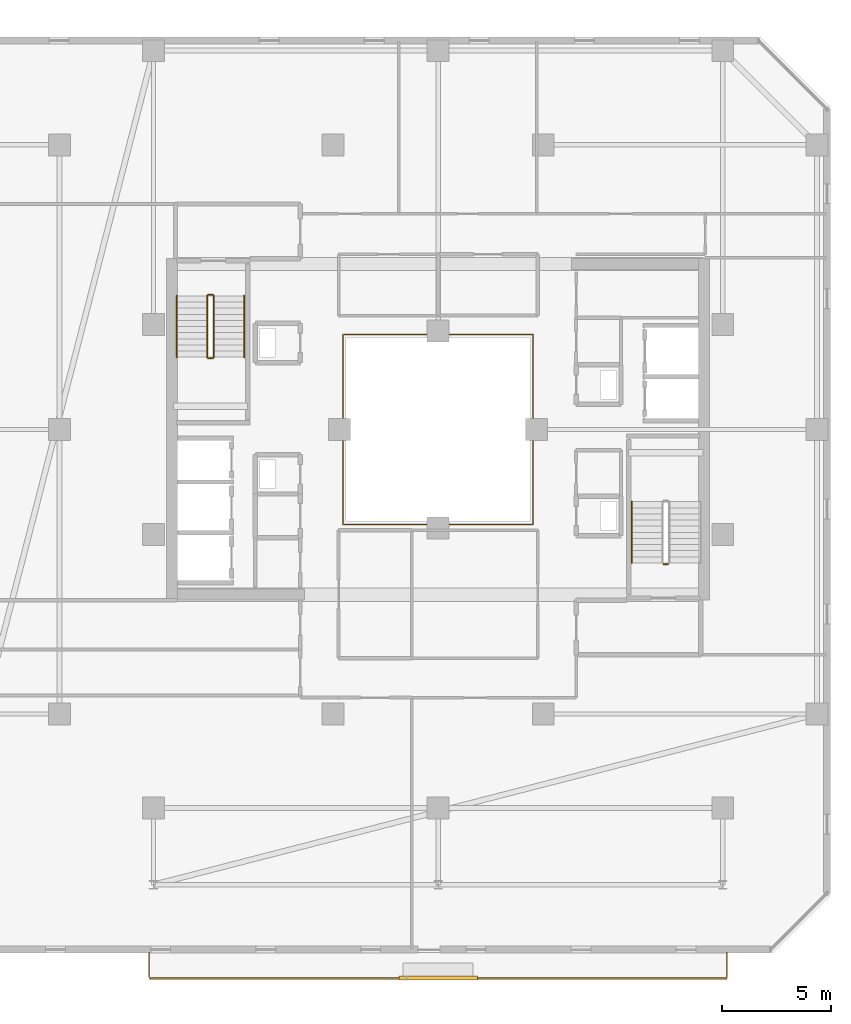
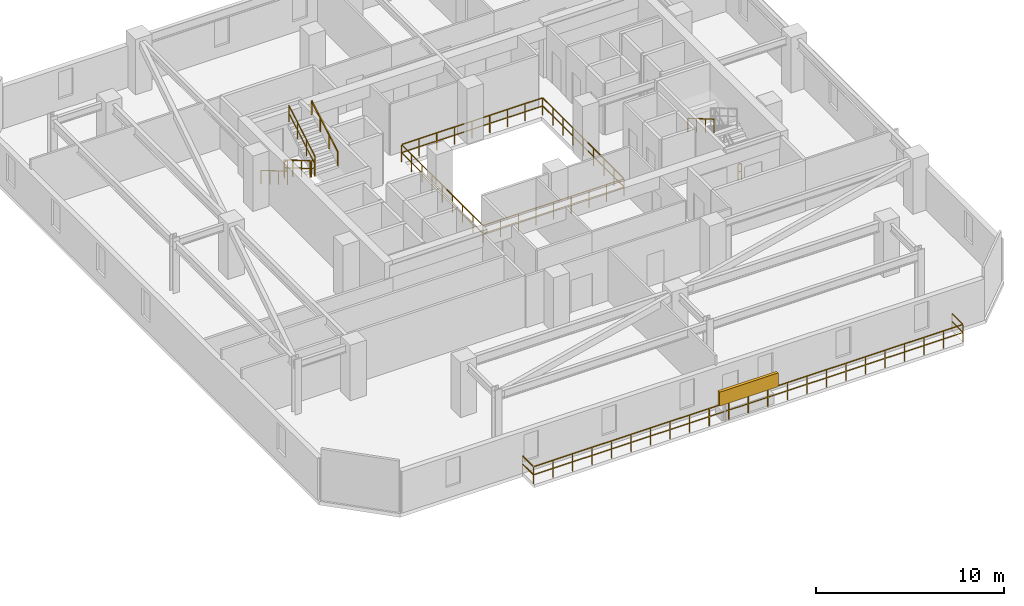
# One storey, part 32 of 33: 10 railings, 1 shading device.
"""IFC4 building model written with IfcOpenShell, lengths in metres."""

from ifc_helpers import new_model, si_unit, direction, frame, origin, origin_2d, place, context, subcontext, project, spatial, rectangle, extrude, material, type_object, element, save


model = new_model("IFC4")

# Units and contexts
model_context = context("Model", 3, precision=1e-05, world=origin(), true_north=direction((0.0, 1.0)))
body_context = subcontext(model_context, "Body", "Model", "MODEL_VIEW")
ifc_project = project(units=[si_unit("LENGTHUNIT", "METRE"), si_unit("AREAUNIT", "SQUARE_METRE"), si_unit("VOLUMEUNIT", "CUBIC_METRE"), si_unit("PLANEANGLEUNIT", "RADIAN"), si_unit("MASSUNIT", "GRAM", prefix="KILO")], contexts=[model_context])

# Site, building, storey
site_placement = place(None, origin())
site = spatial("IfcSite", under=ifc_project, at=site_placement, CompositionType="ELEMENT")
building_placement = place(site_placement, origin())
building = spatial("IfcBuilding", under=site, at=building_placement, Name="Thornwick Lancets Civic Towers", CompositionType="ELEMENT")
storey_placement = place(building_placement, frame((0.0, 0.0, 214.5)))
storey = spatial("IfcBuildingStorey", under=building, at=storey_placement, Name="L57", CompositionType="ELEMENT", Elevation=214.5)

# Railings
ifc_material_1 = material(Name="Laminated glass and bronze steel S355", Category="steel")
railing_type_1 = type_object("IfcRailingType", Name="RAIL_ATRIUM_GUARD", PredefinedType="BALUSTRADE", material=ifc_material_1)
railing_1_placement = place(storey_placement, frame((84.159912109375, 22.659912109375, 0.0)))
element("IfcRailing", 1, at=railing_1_placement, inside=storey, type_object=railing_type_1, Name="L57 Tower B Central Atrium Guard Balustrade", PredefinedType="BALUSTRADE", context=body_context, shape_type="SweptSolid", body=[
    extrude(rectangle(XDim=0.048095703125, YDim=0.048095703125, at=origin_2d()), frame((0.0, 0.0, 1.1259765625), z_axis=(1.0, 0.0, 0.0), x_axis=(0.0, 1.0, 0.0)), (0.0, 0.0, 1.0), 8.64892578125),
    extrude(rectangle(XDim=0.0419921875, YDim=0.0419921875, at=origin_2d()), frame((0.03759765625, 0.0, 0.597900390625), z_axis=(1.0, 0.0, 0.0), x_axis=(0.0, 1.0, 0.0)), (0.0, 0.0, 1.0), 1.010009765625),
    extrude(rectangle(XDim=0.0419921875, YDim=0.0419921875, at=origin_2d()), frame((1.12255859375, 0.0, 0.597900390625), z_axis=(1.0, 0.0, 0.0), x_axis=(0.0, 1.0, 0.0)), (0.0, 0.0, 1.0), 1.010009765625),
    extrude(rectangle(XDim=0.0419921875, YDim=0.0419921875, at=origin_2d()), frame((2.20751953125, 0.0, 0.597900390625), z_axis=(1.0, 0.0, 0.0), x_axis=(0.0, 1.0, 0.0)), (0.0, 0.0, 1.0), 1.010009765625),
    extrude(rectangle(XDim=0.0419921875, YDim=0.0419921875, at=origin_2d()), frame((3.29248046875, 0.0, 0.597900390625), z_axis=(1.0, 0.0, 0.0), x_axis=(0.0, 1.0, 0.0)), (0.0, 0.0, 1.0), 1.010009765625),
    extrude(rectangle(XDim=0.0419921875, YDim=0.0419921875, at=origin_2d()), frame((4.377685546875, 0.0, 0.597900390625), z_axis=(1.0, 0.0, 0.0), x_axis=(0.0, 1.0, 0.0)), (0.0, 0.0, 1.0), 1.010009765625),
    extrude(rectangle(XDim=0.0419921875, YDim=0.0419921875, at=origin_2d()), frame((5.462646484375, 0.0, 0.597900390625), z_axis=(1.0, 0.0, 0.0), x_axis=(0.0, 1.0, 0.0)), (0.0, 0.0, 1.0), 1.010009765625),
    extrude(rectangle(XDim=0.0419921875, YDim=0.0419921875, at=origin_2d()), frame((6.547607421875, 0.0, 0.597900390625), z_axis=(1.0, 0.0, 0.0), x_axis=(0.0, 1.0, 0.0)), (0.0, 0.0, 1.0), 1.010009765625),
    extrude(rectangle(XDim=0.0419921875, YDim=0.0419921875, at=origin_2d()), frame((7.632568359375, 0.0, 0.597900390625), z_axis=(1.0, 0.0, 0.0), x_axis=(0.0, 1.0, 0.0)), (0.0, 0.0, 1.0), 1.010009765625),
    extrude(rectangle(XDim=0.048095703125, YDim=0.048095703125, at=origin_2d()), frame((8.68017578125, 0.03125, 1.1259765625), z_axis=(0.0, 1.0, 0.0), x_axis=(-1.0, 0.0, 0.0)), (0.0, 0.0, 1.0), 8.61767578125),
    extrude(rectangle(XDim=0.0419921875, YDim=0.0419921875, at=origin_2d()), frame((8.68017578125, 0.03759765625, 0.597900390625), z_axis=(0.0, 1.0, 0.0), x_axis=(-1.0, 0.0, 0.0)), (0.0, 0.0, 1.0), 1.010009765625),
    extrude(rectangle(XDim=0.0419921875, YDim=0.0419921875, at=origin_2d()), frame((8.68017578125, 1.12255859375, 0.597900390625), z_axis=(0.0, 1.0, 0.0), x_axis=(-1.0, 0.0, 0.0)), (0.0, 0.0, 1.0), 1.010009765625),
    extrude(rectangle(XDim=0.0419921875, YDim=0.0419921875, at=origin_2d()), frame((8.68017578125, 2.20751953125, 0.597900390625), z_axis=(0.0, 1.0, 0.0), x_axis=(-1.0, 0.0, 0.0)), (0.0, 0.0, 1.0), 1.010009765625),
    extrude(rectangle(XDim=0.0419921875, YDim=0.0419921875, at=origin_2d()), frame((8.68017578125, 3.29248046875, 0.597900390625), z_axis=(0.0, 1.0, 0.0), x_axis=(-1.0, 0.0, 0.0)), (0.0, 0.0, 1.0), 1.010009765625),
    extrude(rectangle(XDim=0.0419921875, YDim=0.0419921875, at=origin_2d()), frame((8.68017578125, 4.377685546875, 0.597900390625), z_axis=(0.0, 1.0, 0.0), x_axis=(-1.0, 0.0, 0.0)), (0.0, 0.0, 1.0), 1.010009765625),
    extrude(rectangle(XDim=0.0419921875, YDim=0.0419921875, at=origin_2d()), frame((8.68017578125, 5.462646484375, 0.597900390625), z_axis=(0.0, 1.0, 0.0), x_axis=(-1.0, 0.0, 0.0)), (0.0, 0.0, 1.0), 1.010009765625),
    extrude(rectangle(XDim=0.0419921875, YDim=0.0419921875, at=origin_2d()), frame((8.68017578125, 6.547607421875, 0.597900390625), z_axis=(0.0, 1.0, 0.0), x_axis=(-1.0, 0.0, 0.0)), (0.0, 0.0, 1.0), 1.010009765625),
    extrude(rectangle(XDim=0.0419921875, YDim=0.0419921875, at=origin_2d()), frame((8.68017578125, 7.632568359375, 0.597900390625), z_axis=(0.0, 1.0, 0.0), x_axis=(-1.0, 0.0, 0.0)), (0.0, 0.0, 1.0), 1.010009765625),
    extrude(rectangle(XDim=0.048095703125, YDim=0.048095703125, at=origin_2d()), frame((8.64892578125, 8.68017578125, 1.1259765625), z_axis=(-1.0, 0.0, 0.0), x_axis=(0.0, -1.0, 0.0)), (0.0, 0.0, 1.0), 8.61767578125),
    extrude(rectangle(XDim=0.0419921875, YDim=0.0419921875, at=origin_2d()), frame((8.642578125, 8.68017578125, 0.597900390625), z_axis=(-1.0, 0.0, 0.0), x_axis=(0.0, -1.0, 0.0)), (0.0, 0.0, 1.0), 1.010009765625),
    extrude(rectangle(XDim=0.0419921875, YDim=0.0419921875, at=origin_2d()), frame((7.5576171875, 8.68017578125, 0.597900390625), z_axis=(-1.0, 0.0, 0.0), x_axis=(0.0, -1.0, 0.0)), (0.0, 0.0, 1.0), 1.010009765625),
    extrude(rectangle(XDim=0.0419921875, YDim=0.0419921875, at=origin_2d()), frame((6.47265625, 8.68017578125, 0.597900390625), z_axis=(-1.0, 0.0, 0.0), x_axis=(0.0, -1.0, 0.0)), (0.0, 0.0, 1.0), 1.010009765625),
    extrude(rectangle(XDim=0.0419921875, YDim=0.0419921875, at=origin_2d()), frame((5.3876953125, 8.68017578125, 0.597900390625), z_axis=(-1.0, 0.0, 0.0), x_axis=(0.0, -1.0, 0.0)), (0.0, 0.0, 1.0), 1.010009765625),
    extrude(rectangle(XDim=0.0419921875, YDim=0.0419921875, at=origin_2d()), frame((4.302490234375, 8.68017578125, 0.597900390625), z_axis=(-1.0, 0.0, 0.0), x_axis=(0.0, -1.0, 0.0)), (0.0, 0.0, 1.0), 1.010009765625),
    extrude(rectangle(XDim=0.0419921875, YDim=0.0419921875, at=origin_2d()), frame((3.217529296875, 8.68017578125, 0.597900390625), z_axis=(-1.0, 0.0, 0.0), x_axis=(0.0, -1.0, 0.0)), (0.0, 0.0, 1.0), 1.010009765625),
    extrude(rectangle(XDim=0.0419921875, YDim=0.0419921875, at=origin_2d()), frame((2.132568359375, 8.68017578125, 0.597900390625), z_axis=(-1.0, 0.0, 0.0), x_axis=(0.0, -1.0, 0.0)), (0.0, 0.0, 1.0), 1.010009765625),
    extrude(rectangle(XDim=0.0419921875, YDim=0.0419921875, at=origin_2d()), frame((1.047607421875, 8.68017578125, 0.597900390625), z_axis=(-1.0, 0.0, 0.0), x_axis=(0.0, -1.0, 0.0)), (0.0, 0.0, 1.0), 1.010009765625),
    extrude(rectangle(XDim=0.048095703125, YDim=0.048095703125, at=origin_2d()), frame((0.0, 8.64892578125, 1.1259765625), z_axis=(0.0, -1.0, 0.0), x_axis=(1.0, 0.0, 0.0)), (0.0, 0.0, 1.0), 8.64892578125),
    extrude(rectangle(XDim=0.0419921875, YDim=0.0419921875, at=origin_2d()), frame((0.0, 8.642578125, 0.597900390625), z_axis=(0.0, -1.0, 0.0), x_axis=(1.0, 0.0, 0.0)), (0.0, 0.0, 1.0), 1.010009765625),
    extrude(rectangle(XDim=0.0419921875, YDim=0.0419921875, at=origin_2d()), frame((0.0, 7.5576171875, 0.597900390625), z_axis=(0.0, -1.0, 0.0), x_axis=(1.0, 0.0, 0.0)), (0.0, 0.0, 1.0), 1.010009765625),
    extrude(rectangle(XDim=0.0419921875, YDim=0.0419921875, at=origin_2d()), frame((0.0, 6.47265625, 0.597900390625), z_axis=(0.0, -1.0, 0.0), x_axis=(1.0, 0.0, 0.0)), (0.0, 0.0, 1.0), 1.010009765625),
    extrude(rectangle(XDim=0.0419921875, YDim=0.0419921875, at=origin_2d()), frame((0.0, 5.3876953125, 0.597900390625), z_axis=(0.0, -1.0, 0.0), x_axis=(1.0, 0.0, 0.0)), (0.0, 0.0, 1.0), 1.010009765625),
    extrude(rectangle(XDim=0.0419921875, YDim=0.0419921875, at=origin_2d()), frame((0.0, 4.302490234375, 0.597900390625), z_axis=(0.0, -1.0, 0.0), x_axis=(1.0, 0.0, 0.0)), (0.0, 0.0, 1.0), 1.010009765625),
    extrude(rectangle(XDim=0.0419921875, YDim=0.0419921875, at=origin_2d()), frame((0.0, 3.217529296875, 0.597900390625), z_axis=(0.0, -1.0, 0.0), x_axis=(1.0, 0.0, 0.0)), (0.0, 0.0, 1.0), 1.010009765625),
    extrude(rectangle(XDim=0.0419921875, YDim=0.0419921875, at=origin_2d()), frame((0.0, 2.132568359375, 0.597900390625), z_axis=(0.0, -1.0, 0.0), x_axis=(1.0, 0.0, 0.0)), (0.0, 0.0, 1.0), 1.010009765625),
    extrude(rectangle(XDim=0.0419921875, YDim=0.0419921875, at=origin_2d()), frame((0.0, 1.047607421875, 0.597900390625), z_axis=(0.0, -1.0, 0.0), x_axis=(1.0, 0.0, 0.0)), (0.0, 0.0, 1.0), 1.010009765625),
    extrude(rectangle(XDim=0.0419921875, YDim=0.0419921875, at=origin_2d()), origin(), (0.0, 0.0, 1.0), 1.095703125),
    extrude(rectangle(XDim=0.0419921875, YDim=0.0419921875, at=origin_2d()), frame((1.0849609375, 0.0, 0.0)), (0.0, 0.0, 1.0), 1.095703125),
    extrude(rectangle(XDim=0.0419921875, YDim=0.0419921875, at=origin_2d()), frame((2.169921875, 0.0, 0.0)), (0.0, 0.0, 1.0), 1.095703125),
    extrude(rectangle(XDim=0.0419921875, YDim=0.0419921875, at=origin_2d()), frame((3.255126953125, 0.0, 0.0)), (0.0, 0.0, 1.0), 1.095703125),
    extrude(rectangle(XDim=0.0419921875, YDim=0.0419921875, at=origin_2d()), frame((4.340087890625, 0.0, 0.0)), (0.0, 0.0, 1.0), 1.095703125),
    extrude(rectangle(XDim=0.0419921875, YDim=0.0419921875, at=origin_2d()), frame((5.425048828125, 0.0, 0.0)), (0.0, 0.0, 1.0), 1.095703125),
    extrude(rectangle(XDim=0.0419921875, YDim=0.0419921875, at=origin_2d()), frame((6.51025390625, 0.0, 0.0)), (0.0, 0.0, 1.0), 1.095703125),
    extrude(rectangle(XDim=0.0419921875, YDim=0.0419921875, at=origin_2d()), frame((7.59521484375, 0.0, 0.0)), (0.0, 0.0, 1.0), 1.095703125),
    extrude(rectangle(XDim=0.0419921875, YDim=0.0419921875, at=origin_2d()), frame((8.68017578125, 0.0, 0.0)), (0.0, 0.0, 1.0), 1.095703125),
    extrude(rectangle(XDim=0.0419921875, YDim=0.0419921875, at=origin_2d()), frame((8.68017578125, 1.0849609375, 0.0)), (0.0, 0.0, 1.0), 1.095703125),
    extrude(rectangle(XDim=0.0419921875, YDim=0.0419921875, at=origin_2d()), frame((8.68017578125, 2.169921875, 0.0)), (0.0, 0.0, 1.0), 1.095703125),
    extrude(rectangle(XDim=0.0419921875, YDim=0.0419921875, at=origin_2d()), frame((8.68017578125, 3.255126953125, 0.0)), (0.0, 0.0, 1.0), 1.095703125),
    extrude(rectangle(XDim=0.0419921875, YDim=0.0419921875, at=origin_2d()), frame((8.68017578125, 4.340087890625, 0.0)), (0.0, 0.0, 1.0), 1.095703125),
    extrude(rectangle(XDim=0.0419921875, YDim=0.0419921875, at=origin_2d()), frame((8.68017578125, 5.425048828125, 0.0)), (0.0, 0.0, 1.0), 1.095703125),
    extrude(rectangle(XDim=0.0419921875, YDim=0.0419921875, at=origin_2d()), frame((8.68017578125, 6.51025390625, 0.0)), (0.0, 0.0, 1.0), 1.095703125),
    extrude(rectangle(XDim=0.0419921875, YDim=0.0419921875, at=origin_2d()), frame((8.68017578125, 7.59521484375, 0.0)), (0.0, 0.0, 1.0), 1.095703125),
    extrude(rectangle(XDim=0.0419921875, YDim=0.0419921875, at=origin_2d()), frame((8.68017578125, 8.68017578125, 0.0)), (0.0, 0.0, 1.0), 1.095703125),
    extrude(rectangle(XDim=0.0419921875, YDim=0.0419921875, at=origin_2d()), frame((7.59521484375, 8.68017578125, 0.0)), (0.0, 0.0, 1.0), 1.095703125),
    extrude(rectangle(XDim=0.0419921875, YDim=0.0419921875, at=origin_2d()), frame((6.51025390625, 8.68017578125, 0.0)), (0.0, 0.0, 1.0), 1.095703125),
    extrude(rectangle(XDim=0.0419921875, YDim=0.0419921875, at=origin_2d()), frame((5.425048828125, 8.68017578125, 0.0)), (0.0, 0.0, 1.0), 1.095703125),
    extrude(rectangle(XDim=0.0419921875, YDim=0.0419921875, at=origin_2d()), frame((4.340087890625, 8.68017578125, 0.0)), (0.0, 0.0, 1.0), 1.095703125),
    extrude(rectangle(XDim=0.0419921875, YDim=0.0419921875, at=origin_2d()), frame((3.255126953125, 8.68017578125, 0.0)), (0.0, 0.0, 1.0), 1.095703125),
    extrude(rectangle(XDim=0.0419921875, YDim=0.0419921875, at=origin_2d()), frame((2.169921875, 8.68017578125, 0.0)), (0.0, 0.0, 1.0), 1.095703125),
    extrude(rectangle(XDim=0.0419921875, YDim=0.0419921875, at=origin_2d()), frame((1.0849609375, 8.68017578125, 0.0)), (0.0, 0.0, 1.0), 1.095703125),
    extrude(rectangle(XDim=0.0419921875, YDim=0.0419921875, at=origin_2d()), frame((0.0, 8.68017578125, 0.0)), (0.0, 0.0, 1.0), 1.095703125),
    extrude(rectangle(XDim=0.0419921875, YDim=0.0419921875, at=origin_2d()), frame((0.0, 7.59521484375, 0.0)), (0.0, 0.0, 1.0), 1.095703125),
    extrude(rectangle(XDim=0.0419921875, YDim=0.0419921875, at=origin_2d()), frame((0.0, 6.51025390625, 0.0)), (0.0, 0.0, 1.0), 1.095703125),
    extrude(rectangle(XDim=0.0419921875, YDim=0.0419921875, at=origin_2d()), frame((0.0, 5.425048828125, 0.0)), (0.0, 0.0, 1.0), 1.095703125),
    extrude(rectangle(XDim=0.0419921875, YDim=0.0419921875, at=origin_2d()), frame((0.0, 4.340087890625, 0.0)), (0.0, 0.0, 1.0), 1.095703125),
    extrude(rectangle(XDim=0.0419921875, YDim=0.0419921875, at=origin_2d()), frame((0.0, 3.255126953125, 0.0)), (0.0, 0.0, 1.0), 1.095703125),
    extrude(rectangle(XDim=0.0419921875, YDim=0.0419921875, at=origin_2d()), frame((0.0, 2.169921875, 0.0)), (0.0, 0.0, 1.0), 1.095703125),
    extrude(rectangle(XDim=0.0419921875, YDim=0.0419921875, at=origin_2d()), frame((0.0, 1.0849609375, 0.0)), (0.0, 0.0, 1.0), 1.095703125),
])
ifc_material_2 = material(Name="Brushed stainless steel S355", Category="steel")
railing_type_2 = type_object("IfcRailingType", Name="RAIL_HANDRAIL", PredefinedType="HANDRAIL", material=ifc_material_2)
for number, where, name in (
    (2, (97.35009765625, 23.699951171875, 1.963623046875), "L57 ST-B1 stair handrail 2"),
    (3, (76.550048828125, 33.10009765625, 0.16357421875), "L57 ST-B2 stair handrail 1"),
):
    element("IfcRailing", number, at=place(storey_placement, frame(where)), inside=storey, type_object=railing_type_2, Name=name, PredefinedType="HANDRAIL", context=body_context, shape_type="SweptSolid", body=[
        extrude(rectangle(XDim=0.048095703125, YDim=0.048095703125, at=origin_2d()), frame((0.0, 0.0, 0.8857421875), z_axis=(0.0, -0.863360870873, 0.504586966384), x_axis=(1.0, 0.0, 0.0)), (0.0, 0.0, 1.0), 3.2431640625),
        extrude(rectangle(XDim=0.0419921875, YDim=0.0419921875, at=origin_2d()), origin(), (0.0, 0.0, 1.0), 0.855712890625),
        extrude(rectangle(XDim=0.0419921875, YDim=0.0419921875, at=origin_2d()), frame((0.0, -0.933349609375, 0.54541015625)), (0.0, 0.0, 1.0), 0.855712890625),
        extrude(rectangle(XDim=0.0419921875, YDim=0.0419921875, at=origin_2d()), frame((0.0, -1.86669921875, 1.091064453125)), (0.0, 0.0, 1.0), 0.855712890625),
        extrude(rectangle(XDim=0.0419921875, YDim=0.0419921875, at=origin_2d()), frame((0.0, -2.800048828125, 1.636474609375)), (0.0, 0.0, 1.0), 0.855712890625),
    ])
railing_2_placement = place(storey_placement, frame((79.64990234375, 30.300048828125, 1.963623046875)))
element("IfcRailing", 4, at=railing_2_placement, inside=storey, type_object=railing_type_2, Name="L57 ST-B2 stair handrail 2", PredefinedType="HANDRAIL", context=body_context, shape_type="SweptSolid", body=[
    extrude(rectangle(XDim=0.048095703125, YDim=0.048095703125, at=origin_2d()), frame((0.0, 0.0, 0.8857421875), z_axis=(0.0, 0.863360870873, 0.504586966384), x_axis=(-1.0, 0.0, 0.0)), (0.0, 0.0, 1.0), 3.2431640625),
    extrude(rectangle(XDim=0.0419921875, YDim=0.0419921875, at=origin_2d()), origin(), (0.0, 0.0, 1.0), 0.855712890625),
    extrude(rectangle(XDim=0.0419921875, YDim=0.0419921875, at=origin_2d()), frame((0.0, 0.933349609375, 0.54541015625)), (0.0, 0.0, 1.0), 0.855712890625),
    extrude(rectangle(XDim=0.0419921875, YDim=0.0419921875, at=origin_2d()), frame((0.0, 1.86669921875, 1.091064453125)), (0.0, 0.0, 1.0), 0.855712890625),
    extrude(rectangle(XDim=0.0419921875, YDim=0.0419921875, at=origin_2d()), frame((0.0, 2.800048828125, 1.636474609375)), (0.0, 0.0, 1.0), 0.855712890625),
])
ifc_material_3 = material(Name="Steel S355JR", Category="steel")
railing_type_3 = type_object("IfcRailingType", Name="RAIL_STAIR_GUARD", PredefinedType="GUARDRAIL", material=ifc_material_3)
railing_3_placement = place(storey_placement, frame((99.0, 20.85009765625, 0.0)))
element("IfcRailing", 5, at=railing_3_placement, inside=storey, type_object=railing_type_3, Name="L57 ST-B1 stair guard 4", PredefinedType="GUARDRAIL", context=body_context, shape_type="SweptSolid", body=[
    extrude(rectangle(XDim=0.048095703125, YDim=0.048095703125, at=origin_2d()), frame((0.0, 0.0, 1.076171875), z_axis=(-1.0, 0.0, 0.0), x_axis=(0.0, -1.0, 0.0)), (0.0, 0.0, 1.0), 0.199951171875),
    extrude(rectangle(XDim=0.0419921875, YDim=0.0419921875, at=origin_2d()), frame((-0.03759765625, 0.0, 0.572021484375), z_axis=(-1.0, 0.0, 0.0), x_axis=(0.0, -1.0, 0.0)), (0.0, 0.0, 1.0), 0.125),
    extrude(rectangle(XDim=0.0419921875, YDim=0.0419921875, at=origin_2d()), origin(), (0.0, 0.0, 1.0), 1.0458984375),
    extrude(rectangle(XDim=0.0419921875, YDim=0.0419921875, at=origin_2d()), frame((-0.199951171875, 0.0, 0.0)), (0.0, 0.0, 1.0), 1.0458984375),
])
railing_4_placement = place(storey_placement, frame((77.949951171875, 33.10009765625, 0.16357421875)))
element("IfcRailing", 6, at=railing_4_placement, inside=storey, type_object=railing_type_3, Name="L57 ST-B2 stair guard 1", PredefinedType="GUARDRAIL", context=body_context, shape_type="SweptSolid", body=[
    extrude(rectangle(XDim=0.048095703125, YDim=0.048095703125, at=origin_2d()), frame((0.0, 0.0, 1.076171875), z_axis=(0.0, -0.863360870873, 0.504586966384), x_axis=(1.0, 0.0, 0.0)), (0.0, 0.0, 1.0), 3.2431640625),
    extrude(rectangle(XDim=0.0419921875, YDim=0.0419921875, at=origin_2d()), frame((0.0, -0.032470703125, 0.591064453125), z_axis=(0.0, -0.863360870873, 0.504586966384), x_axis=(1.0, 0.0, 0.0)), (0.0, 0.0, 1.0), 1.006103515625),
    extrude(rectangle(XDim=0.0419921875, YDim=0.0419921875, at=origin_2d()), frame((0.0, -0.9658203125, 1.136474609375), z_axis=(0.0, -0.863360870873, 0.504586966384), x_axis=(1.0, 0.0, 0.0)), (0.0, 0.0, 1.0), 1.006103515625),
    extrude(rectangle(XDim=0.0419921875, YDim=0.0419921875, at=origin_2d()), frame((0.0, -1.899169921875, 1.681884765625), z_axis=(0.0, -0.863360870873, 0.504586966384), x_axis=(1.0, 0.0, 0.0)), (0.0, 0.0, 1.0), 1.006103515625),
    extrude(rectangle(XDim=0.0419921875, YDim=0.0419921875, at=origin_2d()), origin(), (0.0, 0.0, 1.0), 1.0458984375),
    extrude(rectangle(XDim=0.0419921875, YDim=0.0419921875, at=origin_2d()), frame((0.0, -0.933349609375, 0.54541015625)), (0.0, 0.0, 1.0), 1.0458984375),
    extrude(rectangle(XDim=0.0419921875, YDim=0.0419921875, at=origin_2d()), frame((0.0, -1.86669921875, 1.091064453125)), (0.0, 0.0, 1.0), 1.0458984375),
    extrude(rectangle(XDim=0.0419921875, YDim=0.0419921875, at=origin_2d()), frame((0.0, -2.800048828125, 1.636474609375)), (0.0, 0.0, 1.0), 1.0458984375),
])
railing_5_placement = place(storey_placement, frame((78.0, 30.25, 1.800048828125)))
element("IfcRailing", 7, at=railing_5_placement, inside=storey, type_object=railing_type_3, Name="L57 ST-B2 stair guard 2", PredefinedType="GUARDRAIL", context=body_context, shape_type="SweptSolid", body=[
    extrude(rectangle(XDim=0.048095703125, YDim=0.048095703125, at=origin_2d()), frame((0.0, 0.0, 1.076171875), z_axis=(1.0, 0.0, 0.0), x_axis=(0.0, 1.0, 0.0)), (0.0, 0.0, 1.0), 0.199951171875),
    extrude(rectangle(XDim=0.0419921875, YDim=0.0419921875, at=origin_2d()), frame((0.03759765625, 0.0, 0.572021484375), z_axis=(1.0, 0.0, 0.0), x_axis=(0.0, 1.0, 0.0)), (0.0, 0.0, 1.0), 0.125),
    extrude(rectangle(XDim=0.0419921875, YDim=0.0419921875, at=origin_2d()), origin(), (0.0, 0.0, 1.0), 1.0458984375),
    extrude(rectangle(XDim=0.0419921875, YDim=0.0419921875, at=origin_2d()), frame((0.199951171875, 0.0, 0.0)), (0.0, 0.0, 1.0), 1.0458984375),
])
railing_6_placement = place(storey_placement, frame((78.25, 30.300048828125, 1.963623046875)))
element("IfcRailing", 8, at=railing_6_placement, inside=storey, type_object=railing_type_3, Name="L57 ST-B2 stair guard 3", PredefinedType="GUARDRAIL", context=body_context, shape_type="SweptSolid", body=[
    extrude(rectangle(XDim=0.048095703125, YDim=0.048095703125, at=origin_2d()), frame((0.0, 0.0, 1.076171875), z_axis=(0.0, 0.863360870873, 0.504586966384), x_axis=(-1.0, 0.0, 0.0)), (0.0, 0.0, 1.0), 3.2431640625),
    extrude(rectangle(XDim=0.0419921875, YDim=0.0419921875, at=origin_2d()), frame((0.0, 0.032470703125, 0.591064453125), z_axis=(0.0, 0.863360870873, 0.504586966384), x_axis=(-1.0, 0.0, 0.0)), (0.0, 0.0, 1.0), 1.006103515625),
    extrude(rectangle(XDim=0.0419921875, YDim=0.0419921875, at=origin_2d()), frame((0.0, 0.9658203125, 1.136474609375), z_axis=(0.0, 0.863360870873, 0.504586966384), x_axis=(-1.0, 0.0, 0.0)), (0.0, 0.0, 1.0), 1.006103515625),
    extrude(rectangle(XDim=0.0419921875, YDim=0.0419921875, at=origin_2d()), frame((0.0, 1.899169921875, 1.681884765625), z_axis=(0.0, 0.863360870873, 0.504586966384), x_axis=(-1.0, 0.0, 0.0)), (0.0, 0.0, 1.0), 1.006103515625),
    extrude(rectangle(XDim=0.0419921875, YDim=0.0419921875, at=origin_2d()), origin(), (0.0, 0.0, 1.0), 1.0458984375),
    extrude(rectangle(XDim=0.0419921875, YDim=0.0419921875, at=origin_2d()), frame((0.0, 0.933349609375, 0.54541015625)), (0.0, 0.0, 1.0), 1.0458984375),
    extrude(rectangle(XDim=0.0419921875, YDim=0.0419921875, at=origin_2d()), frame((0.0, 1.86669921875, 1.091064453125)), (0.0, 0.0, 1.0), 1.0458984375),
    extrude(rectangle(XDim=0.0419921875, YDim=0.0419921875, at=origin_2d()), frame((0.0, 2.800048828125, 1.636474609375)), (0.0, 0.0, 1.0), 1.0458984375),
])
railing_7_placement = place(storey_placement, frame((78.0, 33.14990234375, 0.0)))
element("IfcRailing", 9, at=railing_7_placement, inside=storey, type_object=railing_type_3, Name="L57 ST-B2 stair guard 4", PredefinedType="GUARDRAIL", context=body_context, shape_type="SweptSolid", body=[
    extrude(rectangle(XDim=0.048095703125, YDim=0.048095703125, at=origin_2d()), frame((0.0, 0.0, 1.076171875), z_axis=(1.0, 0.0, 0.0), x_axis=(0.0, 1.0, 0.0)), (0.0, 0.0, 1.0), 0.199951171875),
    extrude(rectangle(XDim=0.0419921875, YDim=0.0419921875, at=origin_2d()), frame((0.03759765625, 0.0, 0.572021484375), z_axis=(1.0, 0.0, 0.0), x_axis=(0.0, 1.0, 0.0)), (0.0, 0.0, 1.0), 0.125),
    extrude(rectangle(XDim=0.0419921875, YDim=0.0419921875, at=origin_2d()), origin(), (0.0, 0.0, 1.0), 1.0458984375),
    extrude(rectangle(XDim=0.0419921875, YDim=0.0419921875, at=origin_2d()), frame((0.199951171875, 0.0, 0.0)), (0.0, 0.0, 1.0), 1.0458984375),
])
ifc_material_4 = material(Name="Terracotta-capped laminated glass balustrade S355", Category="masonry")
railing_type_4 = type_object("IfcRailingType", Name="RAIL_TERR_GUARD", PredefinedType="GUARDRAIL", material=ifc_material_4)
railing_8_placement = place(storey_placement, frame((75.300048828125, 3.10009765625, 0.0)))
element("IfcRailing", 10, at=railing_8_placement, inside=storey, type_object=railing_type_4, Name="L57 Tower B Balcony Guard S", PredefinedType="GUARDRAIL", context=body_context, shape_type="SweptSolid", body=[
    extrude(rectangle(XDim=0.048095703125, YDim=0.048095703125, at=origin_2d()), frame((0.0, 0.0, 1.1259765625), z_axis=(0.0, -1.0, 0.0), x_axis=(1.0, 0.0, 0.0)), (0.0, 0.0, 1.0), 1.138916015625),
    extrude(rectangle(XDim=0.0419921875, YDim=0.0419921875, at=origin_2d()), frame((0.0, -0.03759765625, 0.597900390625), z_axis=(0.0, -1.0, 0.0), x_axis=(1.0, 0.0, 0.0)), (0.0, 0.0, 1.0), 1.09521484375),
    extrude(rectangle(XDim=0.048095703125, YDim=0.048095703125, at=origin_2d()), frame((0.03125, -1.170166015625, 1.1259765625), z_axis=(1.0, 0.0, 0.0), x_axis=(0.0, 1.0, 0.0)), (0.0, 0.0, 1.0), 26.33740234375),
    extrude(rectangle(XDim=0.0419921875, YDim=0.0419921875, at=origin_2d()), frame((0.03759765625, -1.170166015625, 0.597900390625), z_axis=(1.0, 0.0, 0.0), x_axis=(0.0, 1.0, 0.0)), (0.0, 0.0, 1.0), 1.125),
    extrude(rectangle(XDim=0.0419921875, YDim=0.0419921875, at=origin_2d()), frame((1.237548828125, -1.170166015625, 0.597900390625), z_axis=(1.0, 0.0, 0.0), x_axis=(0.0, 1.0, 0.0)), (0.0, 0.0, 1.0), 1.125),
    extrude(rectangle(XDim=0.0419921875, YDim=0.0419921875, at=origin_2d()), frame((2.4375, -1.170166015625, 0.597900390625), z_axis=(1.0, 0.0, 0.0), x_axis=(0.0, 1.0, 0.0)), (0.0, 0.0, 1.0), 1.125),
    extrude(rectangle(XDim=0.0419921875, YDim=0.0419921875, at=origin_2d()), frame((3.637451171875, -1.170166015625, 0.597900390625), z_axis=(1.0, 0.0, 0.0), x_axis=(0.0, 1.0, 0.0)), (0.0, 0.0, 1.0), 1.125),
    extrude(rectangle(XDim=0.0419921875, YDim=0.0419921875, at=origin_2d()), frame((4.83740234375, -1.170166015625, 0.597900390625), z_axis=(1.0, 0.0, 0.0), x_axis=(0.0, 1.0, 0.0)), (0.0, 0.0, 1.0), 1.125),
    extrude(rectangle(XDim=0.0419921875, YDim=0.0419921875, at=origin_2d()), frame((6.037353515625, -1.170166015625, 0.597900390625), z_axis=(1.0, 0.0, 0.0), x_axis=(0.0, 1.0, 0.0)), (0.0, 0.0, 1.0), 1.125),
    extrude(rectangle(XDim=0.0419921875, YDim=0.0419921875, at=origin_2d()), frame((7.237548828125, -1.170166015625, 0.597900390625), z_axis=(1.0, 0.0, 0.0), x_axis=(0.0, 1.0, 0.0)), (0.0, 0.0, 1.0), 1.125),
    extrude(rectangle(XDim=0.0419921875, YDim=0.0419921875, at=origin_2d()), frame((8.4375, -1.170166015625, 0.597900390625), z_axis=(1.0, 0.0, 0.0), x_axis=(0.0, 1.0, 0.0)), (0.0, 0.0, 1.0), 1.125),
    extrude(rectangle(XDim=0.0419921875, YDim=0.0419921875, at=origin_2d()), frame((9.637451171875, -1.170166015625, 0.597900390625), z_axis=(1.0, 0.0, 0.0), x_axis=(0.0, 1.0, 0.0)), (0.0, 0.0, 1.0), 1.125),
    extrude(rectangle(XDim=0.0419921875, YDim=0.0419921875, at=origin_2d()), frame((10.83740234375, -1.170166015625, 0.597900390625), z_axis=(1.0, 0.0, 0.0), x_axis=(0.0, 1.0, 0.0)), (0.0, 0.0, 1.0), 1.125),
    extrude(rectangle(XDim=0.0419921875, YDim=0.0419921875, at=origin_2d()), frame((12.037353515625, -1.170166015625, 0.597900390625), z_axis=(1.0, 0.0, 0.0), x_axis=(0.0, 1.0, 0.0)), (0.0, 0.0, 1.0), 1.125),
    extrude(rectangle(XDim=0.0419921875, YDim=0.0419921875, at=origin_2d()), frame((13.237548828125, -1.170166015625, 0.597900390625), z_axis=(1.0, 0.0, 0.0), x_axis=(0.0, 1.0, 0.0)), (0.0, 0.0, 1.0), 1.125),
    extrude(rectangle(XDim=0.0419921875, YDim=0.0419921875, at=origin_2d()), frame((14.4375, -1.170166015625, 0.597900390625), z_axis=(1.0, 0.0, 0.0), x_axis=(0.0, 1.0, 0.0)), (0.0, 0.0, 1.0), 1.125),
    extrude(rectangle(XDim=0.0419921875, YDim=0.0419921875, at=origin_2d()), frame((15.637451171875, -1.170166015625, 0.597900390625), z_axis=(1.0, 0.0, 0.0), x_axis=(0.0, 1.0, 0.0)), (0.0, 0.0, 1.0), 1.125),
    extrude(rectangle(XDim=0.0419921875, YDim=0.0419921875, at=origin_2d()), frame((16.83740234375, -1.170166015625, 0.597900390625), z_axis=(1.0, 0.0, 0.0), x_axis=(0.0, 1.0, 0.0)), (0.0, 0.0, 1.0), 1.125),
    extrude(rectangle(XDim=0.0419921875, YDim=0.0419921875, at=origin_2d()), frame((18.037353515625, -1.170166015625, 0.597900390625), z_axis=(1.0, 0.0, 0.0), x_axis=(0.0, 1.0, 0.0)), (0.0, 0.0, 1.0), 1.125),
    extrude(rectangle(XDim=0.0419921875, YDim=0.0419921875, at=origin_2d()), frame((19.2373046875, -1.170166015625, 0.597900390625), z_axis=(1.0, 0.0, 0.0), x_axis=(0.0, 1.0, 0.0)), (0.0, 0.0, 1.0), 1.125),
    extrude(rectangle(XDim=0.0419921875, YDim=0.0419921875, at=origin_2d()), frame((20.4375, -1.170166015625, 0.597900390625), z_axis=(1.0, 0.0, 0.0), x_axis=(0.0, 1.0, 0.0)), (0.0, 0.0, 1.0), 1.125),
    extrude(rectangle(XDim=0.0419921875, YDim=0.0419921875, at=origin_2d()), frame((21.637451171875, -1.170166015625, 0.597900390625), z_axis=(1.0, 0.0, 0.0), x_axis=(0.0, 1.0, 0.0)), (0.0, 0.0, 1.0), 1.125),
    extrude(rectangle(XDim=0.0419921875, YDim=0.0419921875, at=origin_2d()), frame((22.83740234375, -1.170166015625, 0.597900390625), z_axis=(1.0, 0.0, 0.0), x_axis=(0.0, 1.0, 0.0)), (0.0, 0.0, 1.0), 1.125),
    extrude(rectangle(XDim=0.0419921875, YDim=0.0419921875, at=origin_2d()), frame((24.037353515625, -1.170166015625, 0.597900390625), z_axis=(1.0, 0.0, 0.0), x_axis=(0.0, 1.0, 0.0)), (0.0, 0.0, 1.0), 1.125),
    extrude(rectangle(XDim=0.0419921875, YDim=0.0419921875, at=origin_2d()), frame((25.2373046875, -1.170166015625, 0.597900390625), z_axis=(1.0, 0.0, 0.0), x_axis=(0.0, 1.0, 0.0)), (0.0, 0.0, 1.0), 1.125),
    extrude(rectangle(XDim=0.048095703125, YDim=0.048095703125, at=origin_2d()), frame((26.39990234375, -1.138916015625, 1.1259765625), z_axis=(0.0, 1.0, 0.0), x_axis=(-1.0, 0.0, 0.0)), (0.0, 0.0, 1.0), 1.138916015625),
    extrude(rectangle(XDim=0.0419921875, YDim=0.0419921875, at=origin_2d()), frame((26.39990234375, -1.132568359375, 0.597900390625), z_axis=(0.0, 1.0, 0.0), x_axis=(-1.0, 0.0, 0.0)), (0.0, 0.0, 1.0), 1.09521484375),
    extrude(rectangle(XDim=0.0419921875, YDim=0.0419921875, at=origin_2d()), origin(), (0.0, 0.0, 1.0), 1.095703125),
    extrude(rectangle(XDim=0.0419921875, YDim=0.0419921875, at=origin_2d()), frame((0.0, -1.170166015625, 0.0)), (0.0, 0.0, 1.0), 1.095703125),
    extrude(rectangle(XDim=0.0419921875, YDim=0.0419921875, at=origin_2d()), frame((1.199951171875, -1.170166015625, 0.0)), (0.0, 0.0, 1.0), 1.095703125),
    extrude(rectangle(XDim=0.0419921875, YDim=0.0419921875, at=origin_2d()), frame((2.39990234375, -1.170166015625, 0.0)), (0.0, 0.0, 1.0), 1.095703125),
    extrude(rectangle(XDim=0.0419921875, YDim=0.0419921875, at=origin_2d()), frame((3.60009765625, -1.170166015625, 0.0)), (0.0, 0.0, 1.0), 1.095703125),
    extrude(rectangle(XDim=0.0419921875, YDim=0.0419921875, at=origin_2d()), frame((4.800048828125, -1.170166015625, 0.0)), (0.0, 0.0, 1.0), 1.095703125),
    extrude(rectangle(XDim=0.0419921875, YDim=0.0419921875, at=origin_2d()), frame((6.0, -1.170166015625, 0.0)), (0.0, 0.0, 1.0), 1.095703125),
    extrude(rectangle(XDim=0.0419921875, YDim=0.0419921875, at=origin_2d()), frame((7.199951171875, -1.170166015625, 0.0)), (0.0, 0.0, 1.0), 1.095703125),
    extrude(rectangle(XDim=0.0419921875, YDim=0.0419921875, at=origin_2d()), frame((8.39990234375, -1.170166015625, 0.0)), (0.0, 0.0, 1.0), 1.095703125),
    extrude(rectangle(XDim=0.0419921875, YDim=0.0419921875, at=origin_2d()), frame((9.599853515625, -1.170166015625, 0.0)), (0.0, 0.0, 1.0), 1.095703125),
    extrude(rectangle(XDim=0.0419921875, YDim=0.0419921875, at=origin_2d()), frame((10.800048828125, -1.170166015625, 0.0)), (0.0, 0.0, 1.0), 1.095703125),
    extrude(rectangle(XDim=0.0419921875, YDim=0.0419921875, at=origin_2d()), frame((12.0, -1.170166015625, 0.0)), (0.0, 0.0, 1.0), 1.095703125),
    extrude(rectangle(XDim=0.0419921875, YDim=0.0419921875, at=origin_2d()), frame((13.199951171875, -1.170166015625, 0.0)), (0.0, 0.0, 1.0), 1.095703125),
    extrude(rectangle(XDim=0.0419921875, YDim=0.0419921875, at=origin_2d()), frame((14.39990234375, -1.170166015625, 0.0)), (0.0, 0.0, 1.0), 1.095703125),
    extrude(rectangle(XDim=0.0419921875, YDim=0.0419921875, at=origin_2d()), frame((15.599853515625, -1.170166015625, 0.0)), (0.0, 0.0, 1.0), 1.095703125),
    extrude(rectangle(XDim=0.0419921875, YDim=0.0419921875, at=origin_2d()), frame((16.800048828125, -1.170166015625, 0.0)), (0.0, 0.0, 1.0), 1.095703125),
    extrude(rectangle(XDim=0.0419921875, YDim=0.0419921875, at=origin_2d()), frame((18.0, -1.170166015625, 0.0)), (0.0, 0.0, 1.0), 1.095703125),
    extrude(rectangle(XDim=0.0419921875, YDim=0.0419921875, at=origin_2d()), frame((19.199951171875, -1.170166015625, 0.0)), (0.0, 0.0, 1.0), 1.095703125),
    extrude(rectangle(XDim=0.0419921875, YDim=0.0419921875, at=origin_2d()), frame((20.39990234375, -1.170166015625, 0.0)), (0.0, 0.0, 1.0), 1.095703125),
    extrude(rectangle(XDim=0.0419921875, YDim=0.0419921875, at=origin_2d()), frame((21.599853515625, -1.170166015625, 0.0)), (0.0, 0.0, 1.0), 1.095703125),
    extrude(rectangle(XDim=0.0419921875, YDim=0.0419921875, at=origin_2d()), frame((22.7998046875, -1.170166015625, 0.0)), (0.0, 0.0, 1.0), 1.095703125),
    extrude(rectangle(XDim=0.0419921875, YDim=0.0419921875, at=origin_2d()), frame((24.0, -1.170166015625, 0.0)), (0.0, 0.0, 1.0), 1.095703125),
    extrude(rectangle(XDim=0.0419921875, YDim=0.0419921875, at=origin_2d()), frame((25.199951171875, -1.170166015625, 0.0)), (0.0, 0.0, 1.0), 1.095703125),
    extrude(rectangle(XDim=0.0419921875, YDim=0.0419921875, at=origin_2d()), frame((26.39990234375, -1.170166015625, 0.0)), (0.0, 0.0, 1.0), 1.095703125),
    extrude(rectangle(XDim=0.0419921875, YDim=0.0419921875, at=origin_2d()), frame((26.39990234375, 0.0, 0.0)), (0.0, 0.0, 1.0), 1.095703125),
])

# Shading device
ifc_material_5 = material(Name="Extruded terracotta baguette solar screen", Category="masonry")
shading_device_type = type_object("IfcShadingDeviceType", Name="SHADE_BAGUETTE", PredefinedType="JALOUSIE", material=ifc_material_5)
shading_device_placement = place(storey_placement, frame((88.5, 1.93994140625, 1.1201171875), z_axis=(0.0, 0.0, 1.0), x_axis=(1.0, 0.0, 0.0)))
element("IfcShadingDevice", 11, at=shading_device_placement, inside=storey, type_object=shading_device_type, Name="L57 Tower B Terracotta Baguette Screen S", PredefinedType="JALOUSIE", context=body_context, shape_type="SweptSolid", body=[
    extrude(rectangle(XDim=3.60009765625, YDim=0.179931640625, at=origin_2d()), origin(), (0.0, 0.0, 1.0), 0.89990234375),
])

save(model, "model.ifc")
